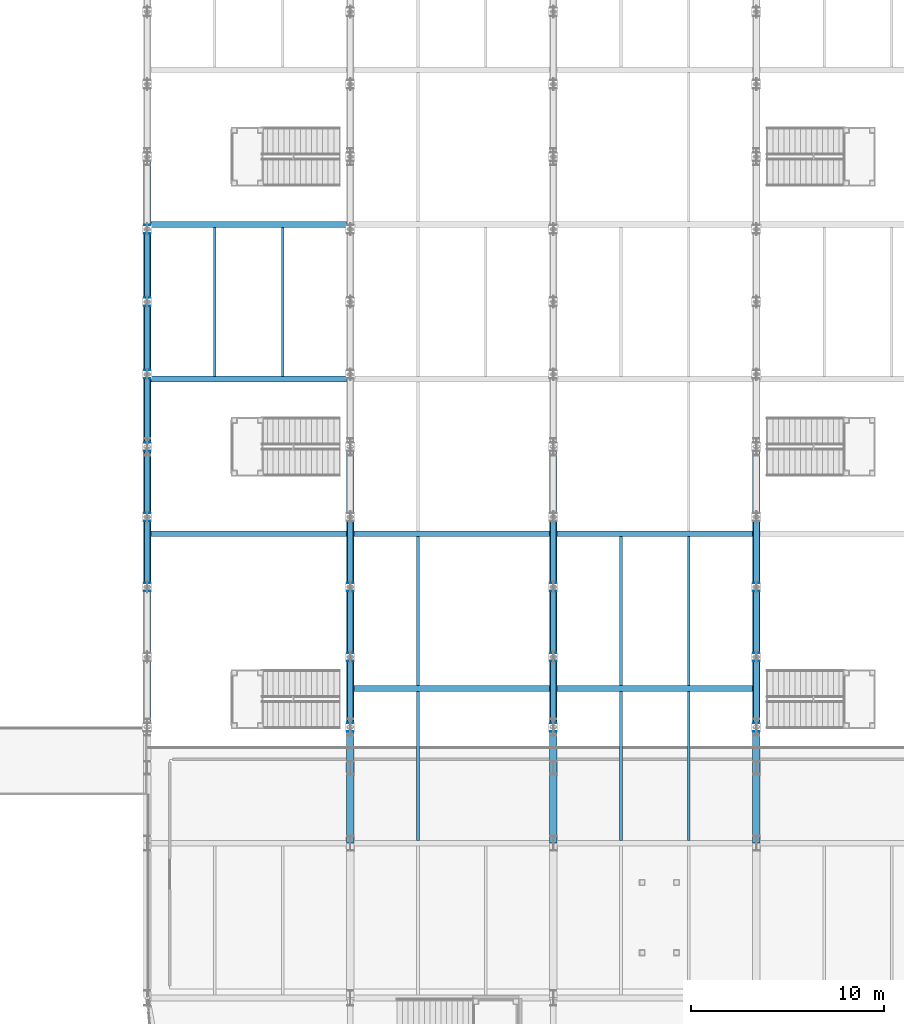
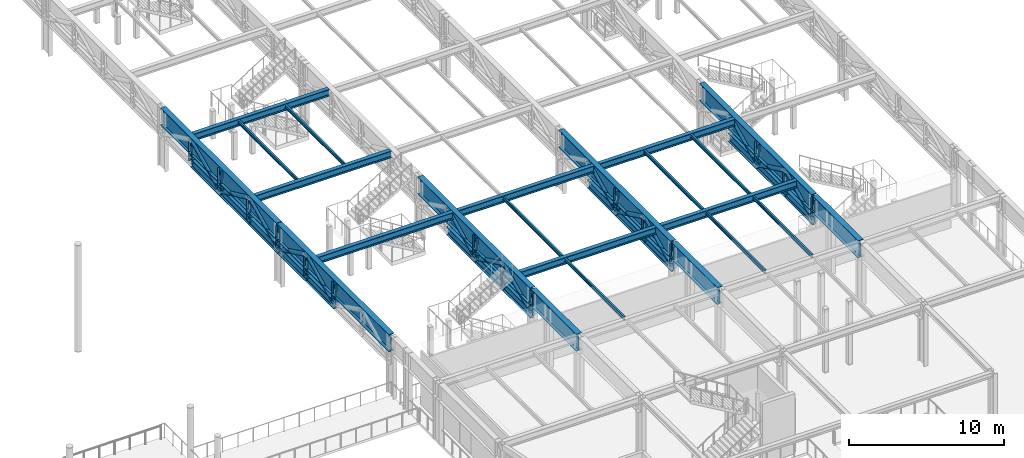
# One storey, part 34 of 143: 43 members, 23 beams.
"""IFC4 building model written with IfcOpenShell, lengths in metres."""

import ifcopenshell
import ifcopenshell.guid

model = None  # the IFC model being written
_history = None  # IfcOwnerHistory: only IFC2X3 demands one
_inside = {}  # id of a spatial element -> (the spatial element, [elements in it])
_under = {}  # id of a project, library or spatial element -> (it, [spatial elements below it])
_declared = {}  # id of a project -> (the project, [libraries it declares])
_typed = {}  # id of a type object -> (the type object, [elements of that type])
_made_of = {}  # id of a material, layer set ... -> (it, [elements and type objects made of it])


def new_model(schema):
    """Start an empty IFC model of exactly this schema.

    Asked for "IFC4X3", IfcOpenShell would pick the latest addendum, in which some entities
    have other attributes; the version numbers below select the first issue.
    IFC2X3 requires an IfcOwnerHistory on every rooted entity: one is made here for all.
    """
    global model, _history
    if schema == "IFC4X3":
        model = ifcopenshell.file(schema_version=(4, 3, 0, 0))
    else:
        model = ifcopenshell.file(schema=schema)
    _inside.clear()
    _under.clear()
    _declared.clear()
    _typed.clear()
    _made_of.clear()
    _history = None
    if model.schema == "IFC2X3":
        org = make("IfcOrganization", Name="unknown")
        user = make(
            "IfcPersonAndOrganization",
            ThePerson=make("IfcPerson", FamilyName="unknown"),
            TheOrganization=org,
        )
        app = make(
            "IfcApplication",
            ApplicationDeveloper=org,
            Version="unknown",
            ApplicationFullName="unknown",
            ApplicationIdentifier="unknown",
        )
        _history = make(
            "IfcOwnerHistory",
            OwningUser=user,
            OwningApplication=app,
            ChangeAction="ADDED",
            CreationDate=0,
        )
    return model


def make(cls, **values):
    """One entity of the class cls with the attributes given. An attribute that is None is left unset."""
    return model.create_entity(
        cls, **{name: value for name, value in values.items() if value is not None}
    )


def rooted(cls, **values):
    """An entity with a GlobalId (a new one), such as an element, a storey or a relation."""
    return make(cls, GlobalId=ifcopenshell.guid.new(), OwnerHistory=_history, **values)


def si_unit(unit_type, name, prefix=None):
    """IfcSIUnit, for example si_unit("LENGTHUNIT", "METRE", prefix="MILLI")."""
    return make("IfcSIUnit", UnitType=unit_type, Prefix=prefix, Name=name)


def assignment(units):
    """IfcUnitAssignment: the units of a project."""
    return None if units is None else make("IfcUnitAssignment", Units=units)


def point(xyz):
    """IfcCartesianPoint."""
    return None if xyz is None else make("IfcCartesianPoint", Coordinates=xyz)


def direction(xyz):
    """IfcDirection."""
    return None if xyz is None else make("IfcDirection", DirectionRatios=xyz)


def frame(location, z_axis=None, x_axis=None):
    """IfcAxis2Placement3D, a coordinate frame: its origin and axes. An axis left out is left unset."""
    return make(
        "IfcAxis2Placement3D",
        Location=point(location),
        Axis=direction(z_axis),
        RefDirection=direction(x_axis),
    )


def frame_2d(location, x_axis=None):
    """IfcAxis2Placement2D, a coordinate frame in the plane: its origin and x axis."""
    return make(
        "IfcAxis2Placement2D", Location=point(location), RefDirection=direction(x_axis)
    )


def origin():
    """The frame at (0, 0, 0) with its axes left unset."""
    return frame((0.0, 0.0, 0.0))


def origin_2d():
    """The frame at (0, 0) in the plane with its x axis left unset."""
    return frame_2d((0.0, 0.0))


def place(relative_to, where):
    """IfcLocalPlacement: puts the frame where relative to a parent placement (None: the world)."""
    return make(
        "IfcLocalPlacement", PlacementRelTo=relative_to, RelativePlacement=where
    )


def context(
    kind, dimensions, precision=None, world=None, true_north=None, identifier=None
):
    """IfcGeometricRepresentationContext, for example the 3D "Model" context."""
    return make(
        "IfcGeometricRepresentationContext",
        ContextIdentifier=identifier,
        ContextType=kind,
        CoordinateSpaceDimension=dimensions,
        Precision=precision,
        WorldCoordinateSystem=world,
        TrueNorth=true_north,
    )


def subcontext(parent, identifier, kind, view, scale=None):
    """IfcGeometricRepresentationSubContext, for example "Body" below "Model"."""
    return make(
        "IfcGeometricRepresentationSubContext",
        ContextIdentifier=identifier,
        ContextType=kind,
        ParentContext=parent,
        TargetScale=scale,
        TargetView=view,
    )


def project(units=None, contexts=None):
    """IfcProject with its units and contexts."""
    return rooted(
        "IfcProject",
        Name="project",
        RepresentationContexts=contexts,
        UnitsInContext=assignment(units),
    )


def spatial(cls, under=None, at=None, **own):
    """A site, building, storey or space (cls), placed at a placement, below another one or the project."""
    s = rooted(cls, ObjectPlacement=at, **own)
    if under is not None:
        _under.setdefault(under.id(), (under, []))[1].append(s)
    return s


def profile(cls, at=None, kind="AREA", **sizes):
    """A parametric profile (cls). Its sizes go by their IFC names, for example OverallWidth=200.0."""
    return make(cls, ProfileType=kind, Position=at, **sizes)


def hollow_circle(**sizes):
    """IfcCircleHollowProfileDef."""
    return profile("IfcCircleHollowProfileDef", **sizes)


def i_section(**sizes):
    """IfcIShapeProfileDef."""
    return profile("IfcIShapeProfileDef", **sizes)


def extrude(swept, where, along, depth):
    """IfcExtrudedAreaSolid: the profile swept, set in the frame where, extruded along a direction by depth."""
    return make(
        "IfcExtrudedAreaSolid",
        SweptArea=swept,
        Position=where,
        ExtrudedDirection=direction(along),
        Depth=depth,
    )


def shape(context_of_items, identifier, shape_type, items):
    """IfcShapeRepresentation: the items that make up one representation, for example the "Body"."""
    return make(
        "IfcShapeRepresentation",
        ContextOfItems=context_of_items,
        RepresentationIdentifier=identifier,
        RepresentationType=shape_type,
        Items=items,
    )


def material(Name=None, Category=None):
    """IfcMaterial."""
    return make("IfcMaterial", Name=Name, Category=Category)


def material_profile(
    of_material, cross_section, Name=None, Category=None, Priority=None
):
    """IfcMaterialProfile: a cross section and its material."""
    return make(
        "IfcMaterialProfile",
        Name=Name,
        Material=of_material,
        Profile=cross_section,
        Priority=Priority,
        Category=Category,
    )


def profile_set(profiles, Name=None, composite=None):
    """IfcMaterialProfileSet."""
    return make(
        "IfcMaterialProfileSet",
        Name=Name,
        MaterialProfiles=profiles,
        CompositeProfile=composite,
    )


def made_of(thing, what):
    """Note that an element or type object is made of a material, layer set ...; save() writes the relation."""
    if what is not None:
        _made_of.setdefault(what.id(), (what, []))[1].append(thing)
    return thing


def type_object(cls, material=None, **own):
    """A type object (cls), such as IfcWallType, which elements share."""
    return made_of(rooted(cls, **own), material)


def element(
    cls,
    number,
    at=None,
    inside=None,
    cuts=None,
    type_object=None,
    material=None,
    context=None,
    identifier="Body",
    shape_type=None,
    held_by="IfcProductDefinitionShape",
    body=None,
    shapes=None,
    **own,
):
    """One element of the class cls, such as IfcWall. Its Tag is "e" and its number.

    at: its placement. inside: the storey or other place that contains it. cuts: it is an
    opening in that element (IfcRelVoidsElement). A single representation is given by context,
    identifier, shape_type and body (its items); several are given by shapes. held_by: the class
    of the entity that holds the representations. save() writes the other relations.
    """
    e = rooted(cls, Tag="e%d" % number, ObjectPlacement=at, **own)
    if body is not None:
        shapes = [shape(context, identifier, shape_type, body)]
    if shapes is not None:
        e.Representation = make(held_by, Representations=shapes)
    if inside is not None:
        _inside.setdefault(inside.id(), (inside, []))[1].append(e)
    if cuts is not None:
        rooted(
            "IfcRelVoidsElement", RelatingBuildingElement=cuts, RelatedOpeningElement=e
        )
    if type_object is not None:
        _typed.setdefault(type_object.id(), (type_object, []))[1].append(e)
    return made_of(e, material)


def aggregate(whole, parts):
    """IfcRelAggregates: a whole, such as a stair, and the parts it consists of."""
    return rooted("IfcRelAggregates", RelatingObject=whole, RelatedObjects=parts)


def save(model, path):
    """Write the relations noted so far, then the file.

    IfcRelAggregates (storeys below a building ...), IfcRelContainedInSpatialStructure (elements
    in a storey), IfcRelDefinesByType, IfcRelAssociatesMaterial and IfcRelDeclares: one each for
    every whole, place, type object, material and project.
    """
    for whole, parts in _under.values():
        aggregate(whole, parts)
    for where, things in _inside.values():
        rooted(
            "IfcRelContainedInSpatialStructure",
            RelatedElements=things,
            RelatingStructure=where,
        )
    for kind, things in _typed.values():
        rooted("IfcRelDefinesByType", RelatedObjects=things, RelatingType=kind)
    for what, things in _made_of.values():
        rooted("IfcRelAssociatesMaterial", RelatedObjects=things, RelatingMaterial=what)
    for by, libraries in _declared.values():
        rooted("IfcRelDeclares", RelatingContext=by, RelatedDefinitions=libraries)
    model.write(path)


model = new_model("IFC4")

# Units and contexts
model_context = context("Model", 3, precision=1e-05, world=origin(), true_north=direction((0.0, 1.0)))
body_context = subcontext(model_context, "Body", "Model", "MODEL_VIEW")
ifc_project = project(units=[si_unit("LENGTHUNIT", "METRE"), si_unit("AREAUNIT", "SQUARE_METRE"), si_unit("VOLUMEUNIT", "CUBIC_METRE"), si_unit("PLANEANGLEUNIT", "RADIAN"), si_unit("MASSUNIT", "GRAM", prefix="KILO")], contexts=[model_context])

# Site, building, storey
site_placement = place(None, origin())
site = spatial("IfcSite", under=ifc_project, at=site_placement, CompositionType="ELEMENT")
building_placement = place(site_placement, origin())
building = spatial("IfcBuilding", under=site, at=building_placement, Name="Marlcrest Central Station", CompositionType="ELEMENT")
storey_placement = place(building_placement, frame((0.0, 0.0, 4.800048828125)))
storey = spatial("IfcBuildingStorey", under=building, at=storey_placement, Name="L01", CompositionType="ELEMENT", Elevation=4.800048828125)

# Beams
ifc_material = material(Name="Steel S355", Category="steel")
ifc_material_profile_1 = material_profile(ifc_material, i_section(OverallWidth=0.300048828125, OverallDepth=0.550048828125, WebThickness=0.014892578125, FlangeThickness=0.029052734375, FilletRadius=0.027099609375, at=origin_2d()), Name="HEB 550")
ifc_profile_set_1 = profile_set([ifc_material_profile_1], Name="Steel S355")
beam_type_1 = type_object("IfcBeamType", Name="BM-11", PredefinedType="BEAM", material=ifc_profile_set_1)
for number, where, z_axis, x_axis, name in (
    (1, (97.695068359375, 38.5, 4.5400390625), (1.0, 0.0, 0.0), (0.0, 1.0, 0.0), "bm-BM-11-L01-01177"),
    (2, (108.195068359375, 38.5, 4.5400390625), (1.0, 0.0, 0.0), (0.0, 1.0, 0.0), "bm-BM-11-L01-01178"),
    (3, (87.195068359375, 46.5, 4.5400390625), (1.0, 0.0, 0.0), (0.0, 1.0, 0.0), "bm-BM-11-L01-01182"),
    (4, (97.695068359375, 46.5, 4.5400390625), (1.0, 0.0, 0.0), (0.0, 1.0, 0.0), "bm-BM-11-L01-01183"),
    (5, (108.195068359375, 46.5, 4.5400390625), (1.0, 0.0, 0.0), (0.0, 1.0, 0.0), "bm-BM-11-L01-01184"),
    (6, (87.195068359375, 54.5, 4.5400390625), (1.0, 0.0, 0.0), (0.0, 1.0, 0.0), "bm-BM-11-L01-01186"),
    (7, (87.195068359375, 62.5, 4.5400390625), (1.0, 0.0, 0.0), (0.0, 1.0, 0.0), "bm-BM-11-L01-01193"),
):
    element("IfcBeam", number, at=place(storey_placement, frame(where, z_axis=z_axis, x_axis=x_axis)), inside=storey, type_object=beam_type_1, Name=name, PredefinedType="BEAM", context=body_context, shape_type="SweptSolid", body=[
        extrude(i_section(OverallWidth=0.300048828125, OverallDepth=0.550048828125, WebThickness=0.014892578125, FlangeThickness=0.029052734375, FilletRadius=0.027099609375, at=origin_2d()), origin(), (0.0, 0.0, 1.0), 10.10986328125),
    ])
ifc_material_profile_2 = material_profile(ifc_material, i_section(OverallWidth=0.135009765625, OverallDepth=0.27001953125, WebThickness=0.006591796875, FlangeThickness=0.01025390625, FilletRadius=0.014892578125, at=origin_2d()), Name="IPE 270")
ifc_profile_set_2 = profile_set([ifc_material_profile_2], Name="Steel S355")
beam_type_2 = type_object("IfcBeamType", Name="JS-04", PredefinedType="JOIST", material=ifc_profile_set_2)
for number, where, z_axis, x_axis, name in (
    (8, (101.0, 30.64794921875, 4.679931640625), (0.0, 1.0, 0.0), (-1.0, 0.0, 0.0), "bm-JS-04-L01-01253"),
    (9, (111.5, 30.64794921875, 4.679931640625), (0.0, 1.0, 0.0), (-1.0, 0.0, 0.0), "bm-JS-04-L01-01254"),
    (10, (115.0, 30.64794921875, 4.679931640625), (0.0, 1.0, 0.0), (-1.0, 0.0, 0.0), "bm-JS-04-L01-01255"),
    (11, (101.0, 38.64794921875, 4.679931640625), (0.0, 1.0, 0.0), (-1.0, 0.0, 0.0), "bm-JS-04-L01-01258"),
    (12, (111.5, 38.64794921875, 4.679931640625), (0.0, 1.0, 0.0), (-1.0, 0.0, 0.0), "bm-JS-04-L01-01259"),
    (13, (115.0, 38.64794921875, 4.679931640625), (0.0, 1.0, 0.0), (-1.0, 0.0, 0.0), "bm-JS-04-L01-01260"),
    (14, (90.5, 54.64794921875, 4.679931640625), (0.0, 1.0, 0.0), (-1.0, 0.0, 0.0), "bm-JS-04-L01-01267"),
    (15, (94.0, 54.64794921875, 4.679931640625), (0.0, 1.0, 0.0), (-1.0, 0.0, 0.0), "bm-JS-04-L01-01268"),
):
    element("IfcBeam", number, at=place(storey_placement, frame(where, z_axis=z_axis, x_axis=x_axis)), inside=storey, type_object=beam_type_2, Name=name, PredefinedType="JOIST", context=body_context, shape_type="SweptSolid", body=[
        extrude(i_section(OverallWidth=0.135009765625, OverallDepth=0.27001953125, WebThickness=0.006591796875, FlangeThickness=0.01025390625, FilletRadius=0.014892578125, at=origin_2d()), origin(), (0.0, 0.0, 1.0), 7.7041015625),
    ])

# Members
ifc_material_profile_3 = material_profile(ifc_material, i_section(OverallWidth=0.300048828125, OverallDepth=0.64990234375, WebThickness=0.01611328125, FlangeThickness=0.031005859375, FilletRadius=0.027099609375, at=origin_2d()), Name="HEB 650")
ifc_profile_set_3 = profile_set([ifc_material_profile_3], Name="Steel S355")
member_type_1 = type_object("IfcMemberType", Name="TC-01", PredefinedType="CHORD", material=ifc_profile_set_3)
for number, where, z_axis, x_axis, name in (
    (16, (87.0, 43.75, 2.744873046875), (0.0, 1.0, 0.0), (-1.0, 0.0, 0.0), "mem-TC-01-L01-02125"),
    (17, (87.0, 47.375, 2.744873046875), (0.0, 1.0, 0.0), (-1.0, 0.0, 0.0), "mem-TC-01-L01-02128"),
):
    element("IfcMember", number, at=place(storey_placement, frame(where, z_axis=z_axis, x_axis=x_axis)), inside=storey, type_object=member_type_1, Name=name, PredefinedType="CHORD", context=body_context, shape_type="SweptSolid", body=[
        extrude(i_section(OverallWidth=0.300048828125, OverallDepth=0.64990234375, WebThickness=0.01611328125, FlangeThickness=0.031005859375, FilletRadius=0.027099609375, at=origin_2d()), origin(), (0.0, 0.0, 1.0), 3.625),
    ])
for number, where, z_axis, x_axis, name in (
    (18, (87.0, 51.0, 2.744873046875), (0.0, 1.0, 0.0), (-1.0, 0.0, 0.0), "mem-TC-01-L01-02131"),
    (19, (87.0, 54.75, 2.744873046875), (0.0, 1.0, 0.0), (-1.0, 0.0, 0.0), "mem-TC-01-L01-02134"),
    (20, (87.0, 58.5, 2.744873046875), (0.0, 1.0, 0.0), (-1.0, 0.0, 0.0), "mem-TC-01-L01-02137"),
):
    element("IfcMember", number, at=place(storey_placement, frame(where, z_axis=z_axis, x_axis=x_axis)), inside=storey, type_object=member_type_1, Name=name, PredefinedType="CHORD", context=body_context, shape_type="SweptSolid", body=[
        extrude(i_section(OverallWidth=0.300048828125, OverallDepth=0.64990234375, WebThickness=0.01611328125, FlangeThickness=0.031005859375, FilletRadius=0.027099609375, at=origin_2d()), origin(), (0.0, 0.0, 1.0), 3.75),
    ])
for number, where, z_axis, x_axis, name in (
    (21, (97.5, 36.5, 2.744873046875), (0.0, 1.0, 0.0), (-1.0, 0.0, 0.0), "mem-TC-01-L01-02168"),
    (22, (97.5, 40.125, 2.744873046875), (0.0, 1.0, 0.0), (-1.0, 0.0, 0.0), "mem-TC-01-L01-02171"),
    (23, (97.5, 43.75, 2.744873046875), (0.0, 1.0, 0.0), (-1.0, 0.0, 0.0), "mem-TC-01-L01-02174"),
    (24, (108.0, 36.5, 2.744873046875), (0.0, 1.0, 0.0), (-1.0, 0.0, 0.0), "mem-TC-01-L01-02217"),
    (25, (108.0, 40.125, 2.744873046875), (0.0, 1.0, 0.0), (-1.0, 0.0, 0.0), "mem-TC-01-L01-02220"),
    (26, (108.0, 43.75, 2.744873046875), (0.0, 1.0, 0.0), (-1.0, 0.0, 0.0), "mem-TC-01-L01-02223"),
    (27, (118.5, 36.5, 2.744873046875), (0.0, 1.0, 0.0), (-1.0, 0.0, 0.0), "mem-TC-01-L01-02266"),
    (28, (118.5, 40.125, 2.744873046875), (0.0, 1.0, 0.0), (-1.0, 0.0, 0.0), "mem-TC-01-L01-02269"),
    (29, (118.5, 43.75, 2.744873046875), (0.0, 1.0, 0.0), (-1.0, 0.0, 0.0), "mem-TC-01-L01-02272"),
):
    element("IfcMember", number, at=place(storey_placement, frame(where, z_axis=z_axis, x_axis=x_axis)), inside=storey, type_object=member_type_1, Name=name, PredefinedType="CHORD", context=body_context, shape_type="SweptSolid", body=[
        extrude(i_section(OverallWidth=0.300048828125, OverallDepth=0.64990234375, WebThickness=0.01611328125, FlangeThickness=0.031005859375, FilletRadius=0.027099609375, at=origin_2d()), origin(), (0.0, 0.0, 1.0), 3.625),
    ])
ifc_material_profile_4 = material_profile(ifc_material, hollow_circle(Radius=0.161865234375, WallThickness=0.01611328125, at=origin_2d()), Name="CHS 323.9x16")
ifc_profile_set_4 = profile_set([ifc_material_profile_4], Name="Steel S355")
member_type_2 = type_object("IfcMemberType", Name="TD-01", PredefinedType="BRACE", material=ifc_profile_set_4)
for number, where, z_axis, x_axis, name in (
    (30, (87.0, 43.75, 2.744873046875), (0.0, 0.900551636365, 0.434749065831), (-1.0, 0.0, 0.0), "mem-TD-01-L01-02127"),
    (31, (87.0, 47.375, 4.494873046875), (0.0, 0.900551636365, -0.434749065831), (-1.0, 0.0, 0.0), "mem-TD-01-L01-02130"),
):
    element("IfcMember", number, at=place(storey_placement, frame(where, z_axis=z_axis, x_axis=x_axis)), inside=storey, type_object=member_type_2, Name=name, PredefinedType="BRACE", context=body_context, shape_type="SweptSolid", body=[
        extrude(hollow_circle(Radius=0.161865234375, WallThickness=0.01611328125, at=origin_2d()), origin(), (0.0, 0.0, 1.0), 4.025390625),
    ])
for number, where, z_axis, x_axis, name in (
    (32, (87.0, 51.0, 2.744873046875), (0.0, 0.906183139995, 0.422885465331), (-1.0, 0.0, 0.0), "mem-TD-01-L01-02133"),
    (33, (87.0, 54.75, 4.494873046875), (0.0, 0.906183139995, -0.422885465331), (-1.0, 0.0, 0.0), "mem-TD-01-L01-02136"),
    (34, (87.0, 58.5, 2.744873046875), (0.0, 0.906183139995, 0.422885465331), (-1.0, 0.0, 0.0), "mem-TD-01-L01-02139"),
):
    element("IfcMember", number, at=place(storey_placement, frame(where, z_axis=z_axis, x_axis=x_axis)), inside=storey, type_object=member_type_2, Name=name, PredefinedType="BRACE", context=body_context, shape_type="SweptSolid", body=[
        extrude(hollow_circle(Radius=0.161865234375, WallThickness=0.01611328125, at=origin_2d()), origin(), (0.0, 0.0, 1.0), 4.13818359375),
    ])
for number, where, z_axis, x_axis, name in (
    (35, (97.5, 36.5, 2.744873046875), (0.0, 0.900551636365, 0.434749065831), (-1.0, 0.0, 0.0), "mem-TD-01-L01-02170"),
    (36, (97.5, 40.125, 4.494873046875), (0.0, 0.900551636365, -0.434749065831), (-1.0, 0.0, 0.0), "mem-TD-01-L01-02173"),
    (37, (97.5, 43.75, 2.744873046875), (0.0, 0.900551636365, 0.434749065831), (-1.0, 0.0, 0.0), "mem-TD-01-L01-02176"),
    (38, (108.0, 36.5, 2.744873046875), (0.0, 0.900551636365, 0.434749065831), (-1.0, 0.0, 0.0), "mem-TD-01-L01-02219"),
    (39, (108.0, 40.125, 4.494873046875), (0.0, 0.900551636365, -0.434749065831), (-1.0, 0.0, 0.0), "mem-TD-01-L01-02222"),
    (40, (108.0, 43.75, 2.744873046875), (0.0, 0.900551636365, 0.434749065831), (-1.0, 0.0, 0.0), "mem-TD-01-L01-02225"),
    (41, (118.5, 36.5, 2.744873046875), (0.0, 0.900551636365, 0.434749065831), (-1.0, 0.0, 0.0), "mem-TD-01-L01-02268"),
    (42, (118.5, 40.125, 4.494873046875), (0.0, 0.900551636365, -0.434749065831), (-1.0, 0.0, 0.0), "mem-TD-01-L01-02271"),
    (43, (118.5, 43.75, 2.744873046875), (0.0, 0.900551636365, 0.434749065831), (-1.0, 0.0, 0.0), "mem-TD-01-L01-02274"),
):
    element("IfcMember", number, at=place(storey_placement, frame(where, z_axis=z_axis, x_axis=x_axis)), inside=storey, type_object=member_type_2, Name=name, PredefinedType="BRACE", context=body_context, shape_type="SweptSolid", body=[
        extrude(hollow_circle(Radius=0.161865234375, WallThickness=0.01611328125, at=origin_2d()), origin(), (0.0, 0.0, 1.0), 4.025390625),
    ])

# Beams
ifc_material_profile_5 = material_profile(ifc_material, i_section(OverallWidth=0.39990234375, OverallDepth=1.35009765625, WebThickness=0.02197265625, FlangeThickness=0.034912109375, at=origin_2d()), Name="PG 1350x400")
ifc_profile_set_5 = profile_set([ifc_material_profile_5], Name="Steel S355")
beam_type_3 = type_object("IfcBeamType", Name="TG-01", PredefinedType="USERDEFINED", material=ifc_profile_set_5)
beam_1_placement = place(storey_placement, frame((87.0, 36.52001953125, 4.139892578125), z_axis=(0.0, 1.0, 0.0), x_axis=(-1.0, 0.0, 0.0)))
element("IfcBeam", 44, at=beam_1_placement, inside=storey, type_object=beam_type_3, Name="bm-TG-01-L01-01143", ObjectType="TRANSFER_GIRDER", PredefinedType="USERDEFINED", context=body_context, shape_type="SweptSolid", body=[
    extrude(i_section(OverallWidth=0.39990234375, OverallDepth=1.35009765625, WebThickness=0.02197265625, FlangeThickness=0.034912109375, at=origin_2d()), origin(), (0.0, 0.0, 1.0), 14.4599609375),
])
beam_2_placement = place(storey_placement, frame((87.0, 51.02001953125, 4.139892578125), z_axis=(0.0, 1.0, 0.0), x_axis=(-1.0, 0.0, 0.0)))
element("IfcBeam", 45, at=beam_2_placement, inside=storey, type_object=beam_type_3, Name="bm-TG-01-L01-01144", ObjectType="TRANSFER_GIRDER", PredefinedType="USERDEFINED", context=body_context, shape_type="SweptSolid", body=[
    extrude(i_section(OverallWidth=0.39990234375, OverallDepth=1.35009765625, WebThickness=0.02197265625, FlangeThickness=0.034912109375, at=origin_2d()), origin(), (0.0, 0.0, 1.0), 14.9599609375),
])
for number, where, z_axis, x_axis, name in (
    (46, (97.5, 36.52001953125, 4.139892578125), (0.0, 1.0, 0.0), (-1.0, 0.0, 0.0), "bm-TG-01-L01-01147"),
    (47, (108.0, 36.52001953125, 4.139892578125), (0.0, 1.0, 0.0), (-1.0, 0.0, 0.0), "bm-TG-01-L01-01151"),
    (48, (118.5, 36.52001953125, 4.139892578125), (0.0, 1.0, 0.0), (-1.0, 0.0, 0.0), "bm-TG-01-L01-01155"),
):
    element("IfcBeam", number, at=place(storey_placement, frame(where, z_axis=z_axis, x_axis=x_axis)), inside=storey, type_object=beam_type_3, Name=name, ObjectType="TRANSFER_GIRDER", PredefinedType="USERDEFINED", context=body_context, shape_type="SweptSolid", body=[
        extrude(i_section(OverallWidth=0.39990234375, OverallDepth=1.35009765625, WebThickness=0.02197265625, FlangeThickness=0.034912109375, at=origin_2d()), origin(), (0.0, 0.0, 1.0), 14.4599609375),
    ])
for number, where, z_axis, x_axis, name in (
    (49, (97.5, 30.52001953125, 4.139892578125), (0.0, 1.0, 0.0), (-1.0, 0.0, 0.0), "bm-TG-01-L01-01248"),
    (50, (108.0, 30.52001953125, 4.139892578125), (0.0, 1.0, 0.0), (-1.0, 0.0, 0.0), "bm-TG-01-L01-01249"),
    (51, (118.5, 30.52001953125, 4.139892578125), (0.0, 1.0, 0.0), (-1.0, 0.0, 0.0), "bm-TG-01-L01-01250"),
):
    element("IfcBeam", number, at=place(storey_placement, frame(where, z_axis=z_axis, x_axis=x_axis)), inside=storey, type_object=beam_type_3, Name=name, ObjectType="TRANSFER_GIRDER", PredefinedType="USERDEFINED", context=body_context, shape_type="SweptSolid", body=[
        extrude(i_section(OverallWidth=0.39990234375, OverallDepth=1.35009765625, WebThickness=0.02197265625, FlangeThickness=0.034912109375, at=origin_2d()), origin(), (0.0, 0.0, 1.0), 5.8798828125),
    ])

# Members
ifc_material_profile_6 = material_profile(ifc_material, i_section(OverallWidth=0.300048828125, OverallDepth=0.449951171875, WebThickness=0.013916015625, FlangeThickness=0.02587890625, FilletRadius=0.027099609375, at=origin_2d()), Name="HEB 450")
ifc_profile_set_6 = profile_set([ifc_material_profile_6], Name="Steel S355")
member_type_3 = type_object("IfcMemberType", Name="TP-01", PredefinedType="POST", material=ifc_profile_set_6)
for number, where, z_axis, x_axis, name in (
    (52, (87.0, 43.75, 2.744873046875), (0.0, 0.0, 1.0), (1.0, 0.0, 0.0), "mem-TP-01-L01-02126"),
    (53, (87.0, 47.375, 2.744873046875), (0.0, 0.0, 1.0), (1.0, 0.0, 0.0), "mem-TP-01-L01-02129"),
    (54, (87.0, 51.0, 2.744873046875), (0.0, 0.0, 1.0), (1.0, 0.0, 0.0), "mem-TP-01-L01-02132"),
    (55, (87.0, 54.75, 2.744873046875), (0.0, 0.0, 1.0), (1.0, 0.0, 0.0), "mem-TP-01-L01-02135"),
    (56, (87.0, 58.5, 2.744873046875), (0.0, 0.0, 1.0), (1.0, 0.0, 0.0), "mem-TP-01-L01-02138"),
    (57, (87.0, 62.25, 2.744873046875), (0.0, 0.0, 1.0), (1.0, 0.0, 0.0), "mem-TP-01-L01-02141"),
    (58, (97.5, 36.5, 2.744873046875), (0.0, 0.0, 1.0), (1.0, 0.0, 0.0), "mem-TP-01-L01-02169"),
    (59, (97.5, 40.125, 2.744873046875), (0.0, 0.0, 1.0), (1.0, 0.0, 0.0), "mem-TP-01-L01-02172"),
    (60, (97.5, 43.75, 2.744873046875), (0.0, 0.0, 1.0), (1.0, 0.0, 0.0), "mem-TP-01-L01-02175"),
    (61, (108.0, 36.5, 2.744873046875), (0.0, 0.0, 1.0), (1.0, 0.0, 0.0), "mem-TP-01-L01-02218"),
    (62, (108.0, 40.125, 2.744873046875), (0.0, 0.0, 1.0), (1.0, 0.0, 0.0), "mem-TP-01-L01-02221"),
    (63, (108.0, 43.75, 2.744873046875), (0.0, 0.0, 1.0), (1.0, 0.0, 0.0), "mem-TP-01-L01-02224"),
    (64, (118.5, 36.5, 2.744873046875), (0.0, 0.0, 1.0), (1.0, 0.0, 0.0), "mem-TP-01-L01-02267"),
    (65, (118.5, 40.125, 2.744873046875), (0.0, 0.0, 1.0), (1.0, 0.0, 0.0), "mem-TP-01-L01-02270"),
    (66, (118.5, 43.75, 2.744873046875), (0.0, 0.0, 1.0), (1.0, 0.0, 0.0), "mem-TP-01-L01-02273"),
):
    element("IfcMember", number, at=place(storey_placement, frame(where, z_axis=z_axis, x_axis=x_axis)), inside=storey, type_object=member_type_3, Name=name, PredefinedType="POST", context=body_context, shape_type="SweptSolid", body=[
        extrude(i_section(OverallWidth=0.300048828125, OverallDepth=0.449951171875, WebThickness=0.013916015625, FlangeThickness=0.02587890625, FilletRadius=0.027099609375, at=origin_2d()), origin(), (0.0, 0.0, 1.0), 1.75),
    ])

save(model, "model.ifc")
